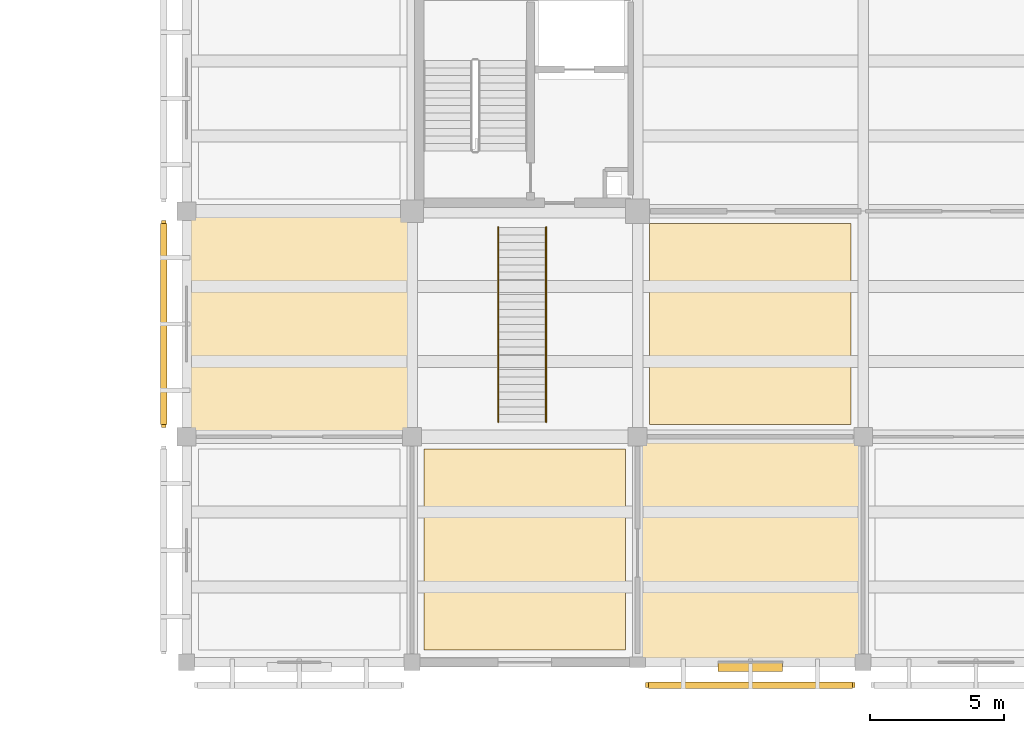
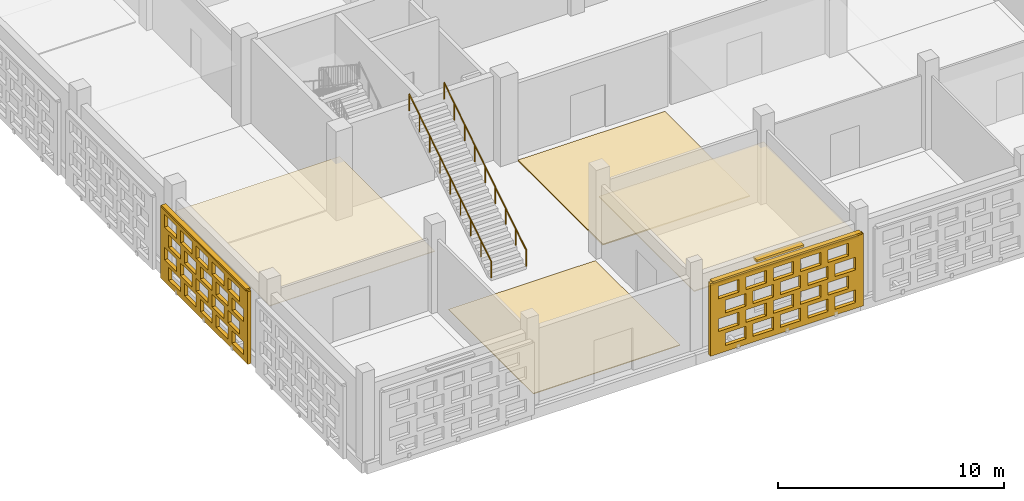
# One storey, part 81 of 129: 6 coverings, 3 shading devices, 2 railings, 40 openings.
"""IFC4 building model written with IfcOpenShell, lengths in metres."""

from ifc_helpers import new_model, si_unit, direction, frame, frame_2d, origin, origin_2d, place, context, subcontext, project, spatial, rectangle, circle, extrude, material, layer, layer_set, type_object, element, save


model = new_model("IFC4")

# Units and contexts
model_context = context("Model", 3, precision=1e-05, world=origin(), true_north=direction((0.0, 1.0)))
body_context = subcontext(model_context, "Body", "Model", "MODEL_VIEW")
ifc_project = project(units=[si_unit("LENGTHUNIT", "METRE"), si_unit("AREAUNIT", "SQUARE_METRE"), si_unit("VOLUMEUNIT", "CUBIC_METRE"), si_unit("PLANEANGLEUNIT", "RADIAN"), si_unit("MASSUNIT", "GRAM", prefix="KILO")], contexts=[model_context])

# Site, building, storey
site_placement = place(None, origin())
site = spatial("IfcSite", under=ifc_project, at=site_placement, CompositionType="ELEMENT")
building_placement = place(site_placement, origin())
building = spatial("IfcBuilding", under=site, at=building_placement, Name="Varnapada Polytechnic", CompositionType="ELEMENT")
storey_placement = place(building_placement, origin())
storey = spatial("IfcBuildingStorey", under=building, at=storey_placement, Name="L00", CompositionType="ELEMENT", Elevation=0.0)

# Coverings
ifc_material_1 = material(Name="Anti-Static Raised Laboratory Flooring")
ifc_layer_1 = layer(ifc_material_1, 0.06005859375)
ifc_layer_set_1 = layer_set([ifc_layer_1], Name="Anti-Static Raised Laboratory Flooring")
covering_type_1 = type_object("IfcCoveringType", Name="Floor Finish FLR-02", PredefinedType="FLOORING", material=ifc_layer_set_1)
covering_1_placement = place(storey_placement, frame((29.39990234375, 12.60009765625, 0.0), z_axis=(0.0, 0.0, 1.0), x_axis=(1.0, 0.0, 0.0)))
element("IfcCovering", 1, at=covering_1_placement, inside=storey, type_object=covering_type_1, Name="L00 floor finish panel (4,2)", PredefinedType="FLOORING", context=body_context, shape_type="SweptSolid", body=[
    extrude(rectangle(XDim=7.5, YDim=7.5, at=origin_2d()), origin(), (0.0, 0.0, 1.0), 0.06005859375),
])
ifc_material_2 = material(Name="Acoustic Rubber Seminar Flooring")
ifc_layer_2 = layer(ifc_material_2, 0.0400390625)
ifc_layer_set_2 = layer_set([ifc_layer_2], Name="Acoustic Rubber Seminar Flooring")
covering_type_2 = type_object("IfcCoveringType", Name="Floor Finish FLR-06", PredefinedType="FLOORING", material=ifc_layer_set_2)
covering_2_placement = place(storey_placement, frame((21.0, 4.199951171875, 0.0), z_axis=(0.0, 0.0, 1.0), x_axis=(1.0, 0.0, 0.0)))
element("IfcCovering", 2, at=covering_2_placement, inside=storey, type_object=covering_type_2, Name="L00 floor finish panel (3,1)", PredefinedType="FLOORING", context=body_context, shape_type="SweptSolid", body=[
    extrude(rectangle(XDim=7.5, YDim=7.5, at=origin_2d()), origin(), (0.0, 0.0, 1.0), 0.0400390625),
])

# Shading device
ifc_material_3 = material(Name="Anodised aluminium", Category="aluminium")
ifc_layer_3 = layer(ifc_material_3, 0.35009765625)
ifc_layer_set_3 = layer_set([ifc_layer_3], Name="Anodised aluminium")
shading_device_type_1 = type_object("IfcShadingDeviceType", Name="Solar Louvre LVR-01", PredefinedType="JALOUSIE", material=ifc_layer_set_3)
shading_device_1_placement = place(storey_placement, frame((29.39990234375, -0.179931640625, 3.760009765625), z_axis=(0.0, 0.0, 1.0), x_axis=(-1.0, 0.0, 0.0)))
element("IfcShadingDevice", 3, at=shading_device_1_placement, inside=storey, type_object=shading_device_type_1, Name="L00 aluminium sun louvre 22", PredefinedType="JALOUSIE", context=body_context, shape_type="SweptSolid", body=[
    extrude(rectangle(XDim=2.39990234375, YDim=0.340087890625, at=origin_2d()), origin(), (0.0, 0.0, 1.0), 0.1201171875),
])

# Railings
ifc_material_4 = material(Name="Brushed Stainless Steel 316", Category="steel")
railing_type = type_object("IfcRailingType", Name="Stair Wall Handrail SHR-01", PredefinedType="HANDRAIL", material=ifc_material_4)
for number, where, name in (
    (4, (20.010009765625, 8.949951171875, 0.177734375), "L00 commons stair ST-F1 handrail L"),
    (5, (21.7900390625, 8.949951171875, 0.177734375), "L00 commons stair ST-F1 handrail R"),
):
    element("IfcRailing", number, at=place(storey_placement, frame(where)), inside=storey, type_object=railing_type, Name=name, PredefinedType="HANDRAIL", context=body_context, shape_type="SweptSolid", body=[
        extrude(circle(Radius=0.02392578125, at=origin_2d()), frame((0.0, 0.0, 0.8759765625), z_axis=(0.0, 0.84320402991, 0.537593679226), x_axis=(-1.0, 0.0, 0.0)), (0.0, 0.0, 1.0), 8.59814453125),
        extrude(circle(Radius=0.02099609375, at=origin_2d()), origin(), (0.0, 0.0, 1.0), 0.851806640625),
        extrude(circle(Radius=0.02099609375, at=origin_2d()), frame((0.0, 0.90625, 0.577880859375)), (0.0, 0.0, 1.0), 0.851806640625),
        extrude(circle(Radius=0.02099609375, at=origin_2d()), frame((0.0, 1.8125, 1.155517578125)), (0.0, 0.0, 1.0), 0.851806640625),
        extrude(circle(Radius=0.02099609375, at=origin_2d()), frame((0.0, 2.71875, 1.7333984375)), (0.0, 0.0, 1.0), 0.851806640625),
        extrude(circle(Radius=0.02099609375, at=origin_2d()), frame((0.0, 3.625, 2.31103515625)), (0.0, 0.0, 1.0), 0.851806640625),
        extrude(circle(Radius=0.02099609375, at=origin_2d()), frame((0.0, 4.53125, 2.888916015625)), (0.0, 0.0, 1.0), 0.851806640625),
        extrude(circle(Radius=0.02099609375, at=origin_2d()), frame((0.0, 5.4375, 3.466796875)), (0.0, 0.0, 1.0), 0.851806640625),
        extrude(circle(Radius=0.02099609375, at=origin_2d()), frame((0.0, 6.34375, 4.04443359375)), (0.0, 0.0, 1.0), 0.851806640625),
        extrude(circle(Radius=0.02099609375, at=origin_2d()), frame((0.0, 7.25, 4.622314453125)), (0.0, 0.0, 1.0), 0.851806640625),
    ])

# Coverings
ifc_material_5 = material(Name="Perforated Timber Slatted Baffle Ceiling", Category="wood")
ifc_layer_4 = layer(ifc_material_5, 0.050048828125)
ifc_layer_set_4 = layer_set([ifc_layer_4], Name="Perforated Timber Slatted Baffle Ceiling")
covering_type_3 = type_object("IfcCoveringType", Name="Suspended Ceiling CLG-02", PredefinedType="CEILING", material=ifc_layer_set_4)
covering_3_placement = place(storey_placement, frame((29.39990234375, 4.199951171875, 3.02490234375), z_axis=(0.0, 0.0, 1.0), x_axis=(1.0, 0.0, 0.0)))
element("IfcCovering", 6, at=covering_3_placement, inside=storey, type_object=covering_type_3, Name="L00 suspended acoustic ceiling (4,1)", PredefinedType="CEILING", context=body_context, shape_type="SweptSolid", body=[
    extrude(rectangle(XDim=8.419921875, YDim=8.419921875, at=origin_2d()), origin(), (0.0, 0.0, 1.0), 0.050048828125),
])
ifc_material_6 = material(Name="Cleanroom Laboratory Metal Pan Ceiling")
ifc_layer_5 = layer(ifc_material_6, 0.034912109375)
ifc_layer_set_5 = layer_set([ifc_layer_5], Name="Cleanroom Laboratory Metal Pan Ceiling")
covering_type_4 = type_object("IfcCoveringType", Name="Suspended Ceiling CLG-06", PredefinedType="CEILING", material=ifc_layer_set_5)
covering_4_placement = place(storey_placement, frame((12.60009765625, 12.60009765625, 3.03271484375), z_axis=(0.0, 0.0, 1.0), x_axis=(1.0, 0.0, 0.0)))
element("IfcCovering", 7, at=covering_4_placement, inside=storey, type_object=covering_type_4, Name="L00 suspended acoustic ceiling (2,2)", PredefinedType="CEILING", context=body_context, shape_type="SweptSolid", body=[
    extrude(rectangle(XDim=8.419921875, YDim=8.419921875, at=origin_2d()), origin(), (0.0, 0.0, 1.0), 0.034912109375),
])

# Covering, openings
ifc_material_7 = material(Name="Earth-toned architectural terracotta screen block", Category="masonry")
ifc_layer_6 = layer(ifc_material_7, 0.1201171875)
ifc_layer_set_6 = layer_set([ifc_layer_6], Name="Earth-toned architectural terracotta screen block")
covering_type_5 = type_object("IfcCoveringType", Name="Terracotta Screen Cladding CLD-01", PredefinedType="CLADDING", material=ifc_layer_set_6)
covering_5_placement = place(storey_placement, frame((7.550048828125, 8.75, 0.0), z_axis=(0.0, 0.0, 1.0), x_axis=(0.0, 1.0, 0.0)))
covering_5 = element("IfcCovering", 8, at=covering_5_placement, inside=storey, type_object=covering_type_5, Name="L00 perforated terracotta block screen (15)", PredefinedType="CLADDING", context=body_context, shape_type="SweptSolid", body=[
    extrude(rectangle(XDim=7.699951171875, YDim=0.179931640625, at=frame_2d((3.85009765625, 0.0))), origin(), (0.0, 0.0, 1.0), 3.919921875),
])
opening_1_placement = place(covering_5_placement, frame((0.35009765625, 0.0, 0.313720703125)))
element("IfcOpeningElement", 9, at=opening_1_placement, cuts=covering_5, Name="Screen perforation TBS-L00-014.1", PredefinedType="OPENING", context=body_context, shape_type="SweptSolid", body=[
    extrude(rectangle(XDim=1.0400390625, YDim=0.679931640625, at=frame_2d((0.52001953125, 0.33984375))), frame((0.0, 0.099853515625, 0.0), z_axis=(0.0, -1.0, 0.0), x_axis=(1.0, 0.0, 0.0)), (0.0, 0.0, 1.0), 0.199951171875),
])
opening_2_placement = place(covering_5_placement, frame((1.75, 0.0, 0.313720703125)))
element("IfcOpeningElement", 10, at=opening_2_placement, cuts=covering_5, Name="Screen perforation TBS-L00-014.2", PredefinedType="OPENING", context=body_context, shape_type="SweptSolid", body=[
    extrude(rectangle(XDim=1.0400390625, YDim=0.679931640625, at=frame_2d((0.52001953125, 0.33984375))), frame((0.0, 0.099853515625, 0.0), z_axis=(0.0, -1.0, 0.0), x_axis=(1.0, 0.0, 0.0)), (0.0, 0.0, 1.0), 0.199951171875),
])
opening_3_placement = place(covering_5_placement, frame((3.14990234375, 0.0, 0.313720703125)))
element("IfcOpeningElement", 11, at=opening_3_placement, cuts=covering_5, Name="Screen perforation TBS-L00-014.3", PredefinedType="OPENING", context=body_context, shape_type="SweptSolid", body=[
    extrude(rectangle(XDim=1.0400390625, YDim=0.679931640625, at=frame_2d((0.52001953125, 0.33984375))), frame((0.0, 0.099853515625, 0.0), z_axis=(0.0, -1.0, 0.0), x_axis=(1.0, 0.0, 0.0)), (0.0, 0.0, 1.0), 0.199951171875),
])
opening_4_placement = place(covering_5_placement, frame((4.550048828125, 0.0, 0.313720703125)))
element("IfcOpeningElement", 12, at=opening_4_placement, cuts=covering_5, Name="Screen perforation TBS-L00-014.4", PredefinedType="OPENING", context=body_context, shape_type="SweptSolid", body=[
    extrude(rectangle(XDim=1.0400390625, YDim=0.679931640625, at=frame_2d((0.52001953125, 0.33984375))), frame((0.0, 0.099853515625, 0.0), z_axis=(0.0, -1.0, 0.0), x_axis=(1.0, 0.0, 0.0)), (0.0, 0.0, 1.0), 0.199951171875),
])
opening_5_placement = place(covering_5_placement, frame((5.949951171875, 0.0, 0.313720703125)))
element("IfcOpeningElement", 13, at=opening_5_placement, cuts=covering_5, Name="Screen perforation TBS-L00-014.5", PredefinedType="OPENING", context=body_context, shape_type="SweptSolid", body=[
    extrude(rectangle(XDim=1.0400390625, YDim=0.679931640625, at=frame_2d((0.52001953125, 0.33984375))), frame((0.0, 0.099853515625, 0.0), z_axis=(0.0, -1.0, 0.0), x_axis=(1.0, 0.0, 0.0)), (0.0, 0.0, 1.0), 0.199951171875),
])
opening_6_placement = place(covering_5_placement, frame((0.7099609375, 0.0, 1.195556640625)))
element("IfcOpeningElement", 14, at=opening_6_placement, cuts=covering_5, Name="Screen perforation TBS-L00-014.6", PredefinedType="OPENING", context=body_context, shape_type="SweptSolid", body=[
    extrude(rectangle(XDim=1.0400390625, YDim=0.679931640625, at=frame_2d((0.52001953125, 0.33984375))), frame((0.0, 0.099853515625, 0.0), z_axis=(0.0, -1.0, 0.0), x_axis=(1.0, 0.0, 0.0)), (0.0, 0.0, 1.0), 0.199951171875),
])
opening_7_placement = place(covering_5_placement, frame((2.110107421875, 0.0, 1.195556640625)))
element("IfcOpeningElement", 15, at=opening_7_placement, cuts=covering_5, Name="Screen perforation TBS-L00-014.7", PredefinedType="OPENING", context=body_context, shape_type="SweptSolid", body=[
    extrude(rectangle(XDim=1.0400390625, YDim=0.679931640625, at=frame_2d((0.52001953125, 0.33984375))), frame((0.0, 0.099853515625, 0.0), z_axis=(0.0, -1.0, 0.0), x_axis=(1.0, 0.0, 0.0)), (0.0, 0.0, 1.0), 0.199951171875),
])
opening_8_placement = place(covering_5_placement, frame((3.510009765625, 0.0, 1.195556640625)))
element("IfcOpeningElement", 16, at=opening_8_placement, cuts=covering_5, Name="Screen perforation TBS-L00-014.8", PredefinedType="OPENING", context=body_context, shape_type="SweptSolid", body=[
    extrude(rectangle(XDim=1.0400390625, YDim=0.679931640625, at=frame_2d((0.52001953125, 0.33984375))), frame((0.0, 0.099853515625, 0.0), z_axis=(0.0, -1.0, 0.0), x_axis=(1.0, 0.0, 0.0)), (0.0, 0.0, 1.0), 0.199951171875),
])
opening_9_placement = place(covering_5_placement, frame((4.909912109375, 0.0, 1.195556640625)))
element("IfcOpeningElement", 17, at=opening_9_placement, cuts=covering_5, Name="Screen perforation TBS-L00-014.9", PredefinedType="OPENING", context=body_context, shape_type="SweptSolid", body=[
    extrude(rectangle(XDim=1.0400390625, YDim=0.679931640625, at=frame_2d((0.52001953125, 0.33984375))), frame((0.0, 0.099853515625, 0.0), z_axis=(0.0, -1.0, 0.0), x_axis=(1.0, 0.0, 0.0)), (0.0, 0.0, 1.0), 0.199951171875),
])
opening_10_placement = place(covering_5_placement, frame((6.31005859375, 0.0, 1.195556640625)))
element("IfcOpeningElement", 18, at=opening_10_placement, cuts=covering_5, Name="Screen perforation TBS-L00-014.10", PredefinedType="OPENING", context=body_context, shape_type="SweptSolid", body=[
    extrude(rectangle(XDim=1.0400390625, YDim=0.679931640625, at=frame_2d((0.52001953125, 0.33984375))), frame((0.0, 0.099853515625, 0.0), z_axis=(0.0, -1.0, 0.0), x_axis=(1.0, 0.0, 0.0)), (0.0, 0.0, 1.0), 0.199951171875),
])
opening_11_placement = place(covering_5_placement, frame((0.35009765625, 0.0, 2.07763671875)))
element("IfcOpeningElement", 19, at=opening_11_placement, cuts=covering_5, Name="Screen perforation TBS-L00-014.11", PredefinedType="OPENING", context=body_context, shape_type="SweptSolid", body=[
    extrude(rectangle(XDim=1.0400390625, YDim=0.679931640625, at=frame_2d((0.52001953125, 0.33984375))), frame((0.0, 0.099853515625, 0.0), z_axis=(0.0, -1.0, 0.0), x_axis=(1.0, 0.0, 0.0)), (0.0, 0.0, 1.0), 0.199951171875),
])
opening_12_placement = place(covering_5_placement, frame((1.75, 0.0, 2.07763671875)))
element("IfcOpeningElement", 20, at=opening_12_placement, cuts=covering_5, Name="Screen perforation TBS-L00-014.12", PredefinedType="OPENING", context=body_context, shape_type="SweptSolid", body=[
    extrude(rectangle(XDim=1.0400390625, YDim=0.679931640625, at=frame_2d((0.52001953125, 0.33984375))), frame((0.0, 0.099853515625, 0.0), z_axis=(0.0, -1.0, 0.0), x_axis=(1.0, 0.0, 0.0)), (0.0, 0.0, 1.0), 0.199951171875),
])
opening_13_placement = place(covering_5_placement, frame((3.14990234375, 0.0, 2.07763671875)))
element("IfcOpeningElement", 21, at=opening_13_placement, cuts=covering_5, Name="Screen perforation TBS-L00-014.13", PredefinedType="OPENING", context=body_context, shape_type="SweptSolid", body=[
    extrude(rectangle(XDim=1.0400390625, YDim=0.679931640625, at=frame_2d((0.52001953125, 0.33984375))), frame((0.0, 0.099853515625, 0.0), z_axis=(0.0, -1.0, 0.0), x_axis=(1.0, 0.0, 0.0)), (0.0, 0.0, 1.0), 0.199951171875),
])
opening_14_placement = place(covering_5_placement, frame((4.550048828125, 0.0, 2.07763671875)))
element("IfcOpeningElement", 22, at=opening_14_placement, cuts=covering_5, Name="Screen perforation TBS-L00-014.14", PredefinedType="OPENING", context=body_context, shape_type="SweptSolid", body=[
    extrude(rectangle(XDim=1.0400390625, YDim=0.679931640625, at=frame_2d((0.52001953125, 0.33984375))), frame((0.0, 0.099853515625, 0.0), z_axis=(0.0, -1.0, 0.0), x_axis=(1.0, 0.0, 0.0)), (0.0, 0.0, 1.0), 0.199951171875),
])
opening_15_placement = place(covering_5_placement, frame((5.949951171875, 0.0, 2.07763671875)))
element("IfcOpeningElement", 23, at=opening_15_placement, cuts=covering_5, Name="Screen perforation TBS-L00-014.15", PredefinedType="OPENING", context=body_context, shape_type="SweptSolid", body=[
    extrude(rectangle(XDim=1.0400390625, YDim=0.679931640625, at=frame_2d((0.52001953125, 0.33984375))), frame((0.0, 0.099853515625, 0.0), z_axis=(0.0, -1.0, 0.0), x_axis=(1.0, 0.0, 0.0)), (0.0, 0.0, 1.0), 0.199951171875),
])
opening_16_placement = place(covering_5_placement, frame((0.7099609375, 0.0, 2.959716796875)))
element("IfcOpeningElement", 24, at=opening_16_placement, cuts=covering_5, Name="Screen perforation TBS-L00-014.16", PredefinedType="OPENING", context=body_context, shape_type="SweptSolid", body=[
    extrude(rectangle(XDim=1.0400390625, YDim=0.679931640625, at=frame_2d((0.52001953125, 0.33984375))), frame((0.0, 0.099853515625, 0.0), z_axis=(0.0, -1.0, 0.0), x_axis=(1.0, 0.0, 0.0)), (0.0, 0.0, 1.0), 0.199951171875),
])
opening_17_placement = place(covering_5_placement, frame((2.110107421875, 0.0, 2.959716796875)))
element("IfcOpeningElement", 25, at=opening_17_placement, cuts=covering_5, Name="Screen perforation TBS-L00-014.17", PredefinedType="OPENING", context=body_context, shape_type="SweptSolid", body=[
    extrude(rectangle(XDim=1.0400390625, YDim=0.679931640625, at=frame_2d((0.52001953125, 0.33984375))), frame((0.0, 0.099853515625, 0.0), z_axis=(0.0, -1.0, 0.0), x_axis=(1.0, 0.0, 0.0)), (0.0, 0.0, 1.0), 0.199951171875),
])
opening_18_placement = place(covering_5_placement, frame((3.510009765625, 0.0, 2.959716796875)))
element("IfcOpeningElement", 26, at=opening_18_placement, cuts=covering_5, Name="Screen perforation TBS-L00-014.18", PredefinedType="OPENING", context=body_context, shape_type="SweptSolid", body=[
    extrude(rectangle(XDim=1.0400390625, YDim=0.679931640625, at=frame_2d((0.52001953125, 0.33984375))), frame((0.0, 0.099853515625, 0.0), z_axis=(0.0, -1.0, 0.0), x_axis=(1.0, 0.0, 0.0)), (0.0, 0.0, 1.0), 0.199951171875),
])
opening_19_placement = place(covering_5_placement, frame((4.909912109375, 0.0, 2.959716796875)))
element("IfcOpeningElement", 27, at=opening_19_placement, cuts=covering_5, Name="Screen perforation TBS-L00-014.19", PredefinedType="OPENING", context=body_context, shape_type="SweptSolid", body=[
    extrude(rectangle(XDim=1.0400390625, YDim=0.679931640625, at=frame_2d((0.52001953125, 0.33984375))), frame((0.0, 0.099853515625, 0.0), z_axis=(0.0, -1.0, 0.0), x_axis=(1.0, 0.0, 0.0)), (0.0, 0.0, 1.0), 0.199951171875),
])
opening_20_placement = place(covering_5_placement, frame((6.31005859375, 0.0, 2.959716796875)))
element("IfcOpeningElement", 28, at=opening_20_placement, cuts=covering_5, Name="Screen perforation TBS-L00-014.20", PredefinedType="OPENING", context=body_context, shape_type="SweptSolid", body=[
    extrude(rectangle(XDim=1.0400390625, YDim=0.679931640625, at=frame_2d((0.52001953125, 0.33984375))), frame((0.0, 0.099853515625, 0.0), z_axis=(0.0, -1.0, 0.0), x_axis=(1.0, 0.0, 0.0)), (0.0, 0.0, 1.0), 0.199951171875),
])

covering_6_placement = place(storey_placement, frame((33.300048828125, -0.85009765625, 0.0), z_axis=(0.0, 0.0, 1.0), x_axis=(-1.0, 0.0, 0.0)))
covering_6 = element("IfcCovering", 29, at=covering_6_placement, inside=storey, type_object=covering_type_5, Name="L00 perforated terracotta block screen (22)", PredefinedType="CLADDING", context=body_context, shape_type="SweptSolid", body=[
    extrude(rectangle(XDim=7.800048828125, YDim=0.179931640625, at=frame_2d((3.89990234375, 0.0))), origin(), (0.0, 0.0, 1.0), 3.919921875),
])
opening_21_placement = place(covering_6_placement, frame((0.39990234375, 0.0, 0.313720703125)))
element("IfcOpeningElement", 30, at=opening_21_placement, cuts=covering_6, Name="Screen perforation TBS-L00-021.1", PredefinedType="OPENING", context=body_context, shape_type="SweptSolid", body=[
    extrude(rectangle(XDim=1.0400390625, YDim=0.679931640625, at=frame_2d((0.52001953125, 0.33984375))), frame((0.0, 0.099853515625, 0.0), z_axis=(0.0, -1.0, 0.0), x_axis=(1.0, 0.0, 0.0)), (0.0, 0.0, 1.0), 0.199951171875),
])
opening_22_placement = place(covering_6_placement, frame((1.800048828125, 0.0, 0.313720703125)))
element("IfcOpeningElement", 31, at=opening_22_placement, cuts=covering_6, Name="Screen perforation TBS-L00-021.2", PredefinedType="OPENING", context=body_context, shape_type="SweptSolid", body=[
    extrude(rectangle(XDim=1.0400390625, YDim=0.679931640625, at=frame_2d((0.52001953125, 0.33984375))), frame((0.0, 0.099853515625, 0.0), z_axis=(0.0, -1.0, 0.0), x_axis=(1.0, 0.0, 0.0)), (0.0, 0.0, 1.0), 0.199951171875),
])
opening_23_placement = place(covering_6_placement, frame((3.199951171875, 0.0, 0.313720703125)))
element("IfcOpeningElement", 32, at=opening_23_placement, cuts=covering_6, Name="Screen perforation TBS-L00-021.3", PredefinedType="OPENING", context=body_context, shape_type="SweptSolid", body=[
    extrude(rectangle(XDim=1.0400390625, YDim=0.679931640625, at=frame_2d((0.52001953125, 0.33984375))), frame((0.0, 0.099853515625, 0.0), z_axis=(0.0, -1.0, 0.0), x_axis=(1.0, 0.0, 0.0)), (0.0, 0.0, 1.0), 0.199951171875),
])
opening_24_placement = place(covering_6_placement, frame((4.60009765625, 0.0, 0.313720703125)))
element("IfcOpeningElement", 33, at=opening_24_placement, cuts=covering_6, Name="Screen perforation TBS-L00-021.4", PredefinedType="OPENING", context=body_context, shape_type="SweptSolid", body=[
    extrude(rectangle(XDim=1.0400390625, YDim=0.679931640625, at=frame_2d((0.52001953125, 0.33984375))), frame((0.0, 0.099853515625, 0.0), z_axis=(0.0, -1.0, 0.0), x_axis=(1.0, 0.0, 0.0)), (0.0, 0.0, 1.0), 0.199951171875),
])
opening_25_placement = place(covering_6_placement, frame((6.0, 0.0, 0.313720703125)))
element("IfcOpeningElement", 34, at=opening_25_placement, cuts=covering_6, Name="Screen perforation TBS-L00-021.5", PredefinedType="OPENING", context=body_context, shape_type="SweptSolid", body=[
    extrude(rectangle(XDim=1.0400390625, YDim=0.679931640625, at=frame_2d((0.52001953125, 0.33984375))), frame((0.0, 0.099853515625, 0.0), z_axis=(0.0, -1.0, 0.0), x_axis=(1.0, 0.0, 0.0)), (0.0, 0.0, 1.0), 0.199951171875),
])
opening_26_placement = place(covering_6_placement, frame((0.760009765625, 0.0, 1.195556640625)))
element("IfcOpeningElement", 35, at=opening_26_placement, cuts=covering_6, Name="Screen perforation TBS-L00-021.6", PredefinedType="OPENING", context=body_context, shape_type="SweptSolid", body=[
    extrude(rectangle(XDim=1.0400390625, YDim=0.679931640625, at=frame_2d((0.52001953125, 0.33984375))), frame((0.0, 0.099853515625, 0.0), z_axis=(0.0, -1.0, 0.0), x_axis=(1.0, 0.0, 0.0)), (0.0, 0.0, 1.0), 0.199951171875),
])
opening_27_placement = place(covering_6_placement, frame((2.159912109375, 0.0, 1.195556640625)))
element("IfcOpeningElement", 36, at=opening_27_placement, cuts=covering_6, Name="Screen perforation TBS-L00-021.7", PredefinedType="OPENING", context=body_context, shape_type="SweptSolid", body=[
    extrude(rectangle(XDim=1.0400390625, YDim=0.679931640625, at=frame_2d((0.52001953125, 0.33984375))), frame((0.0, 0.099853515625, 0.0), z_axis=(0.0, -1.0, 0.0), x_axis=(1.0, 0.0, 0.0)), (0.0, 0.0, 1.0), 0.199951171875),
])
opening_28_placement = place(covering_6_placement, frame((3.56005859375, 0.0, 1.195556640625)))
element("IfcOpeningElement", 37, at=opening_28_placement, cuts=covering_6, Name="Screen perforation TBS-L00-021.8", PredefinedType="OPENING", context=body_context, shape_type="SweptSolid", body=[
    extrude(rectangle(XDim=1.0400390625, YDim=0.679931640625, at=frame_2d((0.52001953125, 0.33984375))), frame((0.0, 0.099853515625, 0.0), z_axis=(0.0, -1.0, 0.0), x_axis=(1.0, 0.0, 0.0)), (0.0, 0.0, 1.0), 0.199951171875),
])
opening_29_placement = place(covering_6_placement, frame((4.9599609375, 0.0, 1.195556640625)))
element("IfcOpeningElement", 38, at=opening_29_placement, cuts=covering_6, Name="Screen perforation TBS-L00-021.9", PredefinedType="OPENING", context=body_context, shape_type="SweptSolid", body=[
    extrude(rectangle(XDim=1.0400390625, YDim=0.679931640625, at=frame_2d((0.52001953125, 0.33984375))), frame((0.0, 0.099853515625, 0.0), z_axis=(0.0, -1.0, 0.0), x_axis=(1.0, 0.0, 0.0)), (0.0, 0.0, 1.0), 0.199951171875),
])
opening_30_placement = place(covering_6_placement, frame((6.360107421875, 0.0, 1.195556640625)))
element("IfcOpeningElement", 39, at=opening_30_placement, cuts=covering_6, Name="Screen perforation TBS-L00-021.10", PredefinedType="OPENING", context=body_context, shape_type="SweptSolid", body=[
    extrude(rectangle(XDim=1.0400390625, YDim=0.679931640625, at=frame_2d((0.52001953125, 0.33984375))), frame((0.0, 0.099853515625, 0.0), z_axis=(0.0, -1.0, 0.0), x_axis=(1.0, 0.0, 0.0)), (0.0, 0.0, 1.0), 0.199951171875),
])
opening_31_placement = place(covering_6_placement, frame((0.39990234375, 0.0, 2.07763671875)))
element("IfcOpeningElement", 40, at=opening_31_placement, cuts=covering_6, Name="Screen perforation TBS-L00-021.11", PredefinedType="OPENING", context=body_context, shape_type="SweptSolid", body=[
    extrude(rectangle(XDim=1.0400390625, YDim=0.679931640625, at=frame_2d((0.52001953125, 0.33984375))), frame((0.0, 0.099853515625, 0.0), z_axis=(0.0, -1.0, 0.0), x_axis=(1.0, 0.0, 0.0)), (0.0, 0.0, 1.0), 0.199951171875),
])
opening_32_placement = place(covering_6_placement, frame((1.800048828125, 0.0, 2.07763671875)))
element("IfcOpeningElement", 41, at=opening_32_placement, cuts=covering_6, Name="Screen perforation TBS-L00-021.12", PredefinedType="OPENING", context=body_context, shape_type="SweptSolid", body=[
    extrude(rectangle(XDim=1.0400390625, YDim=0.679931640625, at=frame_2d((0.52001953125, 0.33984375))), frame((0.0, 0.099853515625, 0.0), z_axis=(0.0, -1.0, 0.0), x_axis=(1.0, 0.0, 0.0)), (0.0, 0.0, 1.0), 0.199951171875),
])
opening_33_placement = place(covering_6_placement, frame((3.199951171875, 0.0, 2.07763671875)))
element("IfcOpeningElement", 42, at=opening_33_placement, cuts=covering_6, Name="Screen perforation TBS-L00-021.13", PredefinedType="OPENING", context=body_context, shape_type="SweptSolid", body=[
    extrude(rectangle(XDim=1.0400390625, YDim=0.679931640625, at=frame_2d((0.52001953125, 0.33984375))), frame((0.0, 0.099853515625, 0.0), z_axis=(0.0, -1.0, 0.0), x_axis=(1.0, 0.0, 0.0)), (0.0, 0.0, 1.0), 0.199951171875),
])
opening_34_placement = place(covering_6_placement, frame((4.60009765625, 0.0, 2.07763671875)))
element("IfcOpeningElement", 43, at=opening_34_placement, cuts=covering_6, Name="Screen perforation TBS-L00-021.14", PredefinedType="OPENING", context=body_context, shape_type="SweptSolid", body=[
    extrude(rectangle(XDim=1.0400390625, YDim=0.679931640625, at=frame_2d((0.52001953125, 0.33984375))), frame((0.0, 0.099853515625, 0.0), z_axis=(0.0, -1.0, 0.0), x_axis=(1.0, 0.0, 0.0)), (0.0, 0.0, 1.0), 0.199951171875),
])
opening_35_placement = place(covering_6_placement, frame((6.0, 0.0, 2.07763671875)))
element("IfcOpeningElement", 44, at=opening_35_placement, cuts=covering_6, Name="Screen perforation TBS-L00-021.15", PredefinedType="OPENING", context=body_context, shape_type="SweptSolid", body=[
    extrude(rectangle(XDim=1.0400390625, YDim=0.679931640625, at=frame_2d((0.52001953125, 0.33984375))), frame((0.0, 0.099853515625, 0.0), z_axis=(0.0, -1.0, 0.0), x_axis=(1.0, 0.0, 0.0)), (0.0, 0.0, 1.0), 0.199951171875),
])
opening_36_placement = place(covering_6_placement, frame((0.760009765625, 0.0, 2.959716796875)))
element("IfcOpeningElement", 45, at=opening_36_placement, cuts=covering_6, Name="Screen perforation TBS-L00-021.16", PredefinedType="OPENING", context=body_context, shape_type="SweptSolid", body=[
    extrude(rectangle(XDim=1.0400390625, YDim=0.679931640625, at=frame_2d((0.52001953125, 0.33984375))), frame((0.0, 0.099853515625, 0.0), z_axis=(0.0, -1.0, 0.0), x_axis=(1.0, 0.0, 0.0)), (0.0, 0.0, 1.0), 0.199951171875),
])
opening_37_placement = place(covering_6_placement, frame((2.159912109375, 0.0, 2.959716796875)))
element("IfcOpeningElement", 46, at=opening_37_placement, cuts=covering_6, Name="Screen perforation TBS-L00-021.17", PredefinedType="OPENING", context=body_context, shape_type="SweptSolid", body=[
    extrude(rectangle(XDim=1.0400390625, YDim=0.679931640625, at=frame_2d((0.52001953125, 0.33984375))), frame((0.0, 0.099853515625, 0.0), z_axis=(0.0, -1.0, 0.0), x_axis=(1.0, 0.0, 0.0)), (0.0, 0.0, 1.0), 0.199951171875),
])
opening_38_placement = place(covering_6_placement, frame((3.56005859375, 0.0, 2.959716796875)))
element("IfcOpeningElement", 47, at=opening_38_placement, cuts=covering_6, Name="Screen perforation TBS-L00-021.18", PredefinedType="OPENING", context=body_context, shape_type="SweptSolid", body=[
    extrude(rectangle(XDim=1.0400390625, YDim=0.679931640625, at=frame_2d((0.52001953125, 0.33984375))), frame((0.0, 0.099853515625, 0.0), z_axis=(0.0, -1.0, 0.0), x_axis=(1.0, 0.0, 0.0)), (0.0, 0.0, 1.0), 0.199951171875),
])
opening_39_placement = place(covering_6_placement, frame((4.9599609375, 0.0, 2.959716796875)))
element("IfcOpeningElement", 48, at=opening_39_placement, cuts=covering_6, Name="Screen perforation TBS-L00-021.19", PredefinedType="OPENING", context=body_context, shape_type="SweptSolid", body=[
    extrude(rectangle(XDim=1.0400390625, YDim=0.679931640625, at=frame_2d((0.52001953125, 0.33984375))), frame((0.0, 0.099853515625, 0.0), z_axis=(0.0, -1.0, 0.0), x_axis=(1.0, 0.0, 0.0)), (0.0, 0.0, 1.0), 0.199951171875),
])
opening_40_placement = place(covering_6_placement, frame((6.360107421875, 0.0, 2.959716796875)))
element("IfcOpeningElement", 49, at=opening_40_placement, cuts=covering_6, Name="Screen perforation TBS-L00-021.20", PredefinedType="OPENING", context=body_context, shape_type="SweptSolid", body=[
    extrude(rectangle(XDim=1.0400390625, YDim=0.679931640625, at=frame_2d((0.52001953125, 0.33984375))), frame((0.0, 0.099853515625, 0.0), z_axis=(0.0, -1.0, 0.0), x_axis=(1.0, 0.0, 0.0)), (0.0, 0.0, 1.0), 0.199951171875),
])

# Shading devices
ifc_layer_7 = layer(ifc_material_7, 0.179931640625)
ifc_layer_set_7 = layer_set([ifc_layer_7], Name="Earth-toned architectural terracotta screen block")
shading_device_type_2 = type_object("IfcShadingDeviceType", Name="Terracotta Screen SCR-02", PredefinedType="USERDEFINED", material=ifc_layer_set_7)
shading_device_2_placement = place(storey_placement, frame((7.550048828125, 12.60009765625, 3.909912109375), z_axis=(0.0, 0.0, 1.0), x_axis=(0.0, 1.0, 0.0)))
element("IfcShadingDevice", 50, at=shading_device_2_placement, inside=storey, type_object=shading_device_type_2, Name="L00 perforated terracotta screen hood 11", ObjectType="SCREEN", PredefinedType="USERDEFINED", context=body_context, shape_type="SweptSolid", body=[
    extrude(rectangle(XDim=7.5, YDim=0.239990234375, at=origin_2d()), origin(), (0.0, 0.0, 1.0), 0.10009765625),
])
shading_device_3_placement = place(storey_placement, frame((29.39990234375, -0.85009765625, 3.909912109375), z_axis=(0.0, 0.0, 1.0), x_axis=(-1.0, 0.0, 0.0)))
element("IfcShadingDevice", 51, at=shading_device_3_placement, inside=storey, type_object=shading_device_type_2, Name="L00 perforated terracotta screen hood 17", ObjectType="SCREEN", PredefinedType="USERDEFINED", context=body_context, shape_type="SweptSolid", body=[
    extrude(rectangle(XDim=7.60009765625, YDim=0.239990234375, at=origin_2d()), origin(), (0.0, 0.0, 1.0), 0.10009765625),
])

save(model, "model.ifc")
